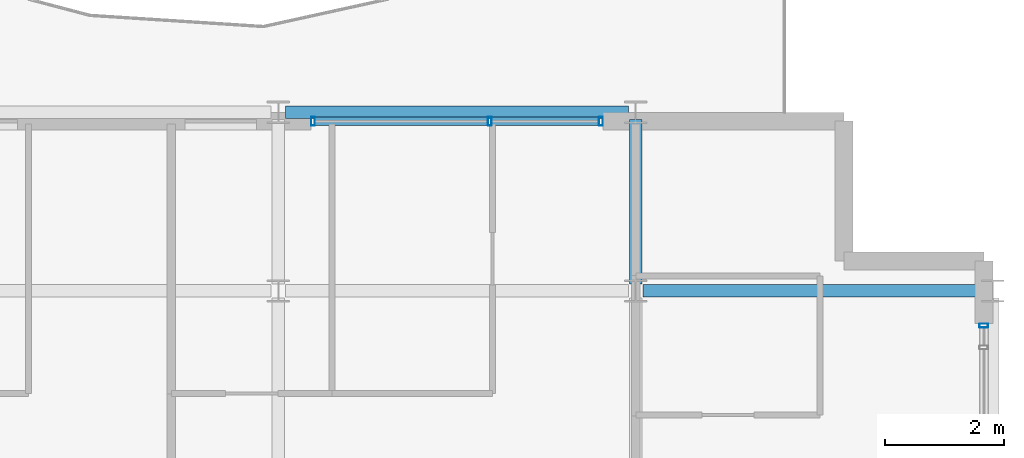
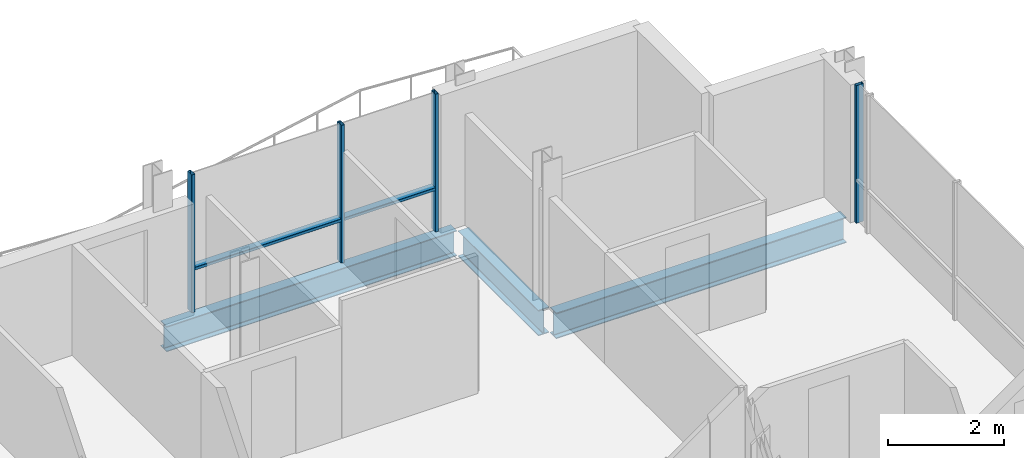
# One storey, part 15 of 29: 6 members, 3 beams, 2 elements without a shape of their own.
"""IFC4 building model written with IfcOpenShell, lengths in metres."""

import ifcopenshell
import ifcopenshell.guid

model = None  # the IFC model being written
_history = None  # IfcOwnerHistory: only IFC2X3 demands one
_inside = {}  # id of a spatial element -> (the spatial element, [elements in it])
_under = {}  # id of a project, library or spatial element -> (it, [spatial elements below it])
_declared = {}  # id of a project -> (the project, [libraries it declares])
_typed = {}  # id of a type object -> (the type object, [elements of that type])
_made_of = {}  # id of a material, layer set ... -> (it, [elements and type objects made of it])


def new_model(schema):
    """Start an empty IFC model of exactly this schema.

    Asked for "IFC4X3", IfcOpenShell would pick the latest addendum, in which some entities
    have other attributes; the version numbers below select the first issue.
    IFC2X3 requires an IfcOwnerHistory on every rooted entity: one is made here for all.
    """
    global model, _history
    if schema == "IFC4X3":
        model = ifcopenshell.file(schema_version=(4, 3, 0, 0))
    else:
        model = ifcopenshell.file(schema=schema)
    _inside.clear()
    _under.clear()
    _declared.clear()
    _typed.clear()
    _made_of.clear()
    _history = None
    if model.schema == "IFC2X3":
        org = make("IfcOrganization", Name="unknown")
        user = make(
            "IfcPersonAndOrganization",
            ThePerson=make("IfcPerson", FamilyName="unknown"),
            TheOrganization=org,
        )
        app = make(
            "IfcApplication",
            ApplicationDeveloper=org,
            Version="unknown",
            ApplicationFullName="unknown",
            ApplicationIdentifier="unknown",
        )
        _history = make(
            "IfcOwnerHistory",
            OwningUser=user,
            OwningApplication=app,
            ChangeAction="ADDED",
            CreationDate=0,
        )
    return model


def make(cls, **values):
    """One entity of the class cls with the attributes given. An attribute that is None is left unset."""
    return model.create_entity(
        cls, **{name: value for name, value in values.items() if value is not None}
    )


def rooted(cls, **values):
    """An entity with a GlobalId (a new one), such as an element, a storey or a relation."""
    return make(cls, GlobalId=ifcopenshell.guid.new(), OwnerHistory=_history, **values)


def si_unit(unit_type, name, prefix=None):
    """IfcSIUnit, for example si_unit("LENGTHUNIT", "METRE", prefix="MILLI")."""
    return make("IfcSIUnit", UnitType=unit_type, Prefix=prefix, Name=name)


def assignment(units):
    """IfcUnitAssignment: the units of a project."""
    return None if units is None else make("IfcUnitAssignment", Units=units)


def point(xyz):
    """IfcCartesianPoint."""
    return None if xyz is None else make("IfcCartesianPoint", Coordinates=xyz)


def direction(xyz):
    """IfcDirection."""
    return None if xyz is None else make("IfcDirection", DirectionRatios=xyz)


def frame(location, z_axis=None, x_axis=None):
    """IfcAxis2Placement3D, a coordinate frame: its origin and axes. An axis left out is left unset."""
    return make(
        "IfcAxis2Placement3D",
        Location=point(location),
        Axis=direction(z_axis),
        RefDirection=direction(x_axis),
    )


def frame_2d(location, x_axis=None):
    """IfcAxis2Placement2D, a coordinate frame in the plane: its origin and x axis."""
    return make(
        "IfcAxis2Placement2D", Location=point(location), RefDirection=direction(x_axis)
    )


def origin():
    """The frame at (0, 0, 0) with its axes left unset."""
    return frame((0.0, 0.0, 0.0))


def origin_2d():
    """The frame at (0, 0) in the plane with its x axis left unset."""
    return frame_2d((0.0, 0.0))


def place(relative_to, where):
    """IfcLocalPlacement: puts the frame where relative to a parent placement (None: the world)."""
    return make(
        "IfcLocalPlacement", PlacementRelTo=relative_to, RelativePlacement=where
    )


def context(
    kind, dimensions, precision=None, world=None, true_north=None, identifier=None
):
    """IfcGeometricRepresentationContext, for example the 3D "Model" context."""
    return make(
        "IfcGeometricRepresentationContext",
        ContextIdentifier=identifier,
        ContextType=kind,
        CoordinateSpaceDimension=dimensions,
        Precision=precision,
        WorldCoordinateSystem=world,
        TrueNorth=true_north,
    )


def subcontext(parent, identifier, kind, view, scale=None):
    """IfcGeometricRepresentationSubContext, for example "Body" below "Model"."""
    return make(
        "IfcGeometricRepresentationSubContext",
        ContextIdentifier=identifier,
        ContextType=kind,
        ParentContext=parent,
        TargetScale=scale,
        TargetView=view,
    )


def project(units=None, contexts=None):
    """IfcProject with its units and contexts."""
    return rooted(
        "IfcProject",
        Name="project",
        RepresentationContexts=contexts,
        UnitsInContext=assignment(units),
    )


def spatial(cls, under=None, at=None, **own):
    """A site, building, storey or space (cls), placed at a placement, below another one or the project."""
    s = rooted(cls, ObjectPlacement=at, **own)
    if under is not None:
        _under.setdefault(under.id(), (under, []))[1].append(s)
    return s


def profile(cls, at=None, kind="AREA", **sizes):
    """A parametric profile (cls). Its sizes go by their IFC names, for example OverallWidth=200.0."""
    return make(cls, ProfileType=kind, Position=at, **sizes)


def hollow_rectangle(**sizes):
    """IfcRectangleHollowProfileDef."""
    return profile("IfcRectangleHollowProfileDef", **sizes)


def i_section(**sizes):
    """IfcIShapeProfileDef."""
    return profile("IfcIShapeProfileDef", **sizes)


def extrude(swept, where, along, depth):
    """IfcExtrudedAreaSolid: the profile swept, set in the frame where, extruded along a direction by depth."""
    return make(
        "IfcExtrudedAreaSolid",
        SweptArea=swept,
        Position=where,
        ExtrudedDirection=direction(along),
        Depth=depth,
    )


def shape(context_of_items, identifier, shape_type, items):
    """IfcShapeRepresentation: the items that make up one representation, for example the "Body"."""
    return make(
        "IfcShapeRepresentation",
        ContextOfItems=context_of_items,
        RepresentationIdentifier=identifier,
        RepresentationType=shape_type,
        Items=items,
    )


def material(Name=None, Category=None):
    """IfcMaterial."""
    return make("IfcMaterial", Name=Name, Category=Category)


def layer(
    of_material, thickness, ventilated=None, Name=None, Category=None, Priority=None
):
    """IfcMaterialLayer: one layer of a wall or slab, of a material (None: an air gap)."""
    return make(
        "IfcMaterialLayer",
        Material=of_material,
        LayerThickness=thickness,
        IsVentilated=ventilated,
        Name=Name,
        Category=Category,
        Priority=Priority,
    )


def layer_set(layers, Name=None):
    """IfcMaterialLayerSet."""
    return make("IfcMaterialLayerSet", MaterialLayers=layers, LayerSetName=Name)


def material_profile(
    of_material, cross_section, Name=None, Category=None, Priority=None
):
    """IfcMaterialProfile: a cross section and its material."""
    return make(
        "IfcMaterialProfile",
        Name=Name,
        Material=of_material,
        Profile=cross_section,
        Priority=Priority,
        Category=Category,
    )


def profile_set(profiles, Name=None, composite=None):
    """IfcMaterialProfileSet."""
    return make(
        "IfcMaterialProfileSet",
        Name=Name,
        MaterialProfiles=profiles,
        CompositeProfile=composite,
    )


def made_of(thing, what):
    """Note that an element or type object is made of a material, layer set ...; save() writes the relation."""
    if what is not None:
        _made_of.setdefault(what.id(), (what, []))[1].append(thing)
    return thing


def type_object(cls, material=None, **own):
    """A type object (cls), such as IfcWallType, which elements share."""
    return made_of(rooted(cls, **own), material)


def element(
    cls,
    number,
    at=None,
    inside=None,
    cuts=None,
    type_object=None,
    material=None,
    context=None,
    identifier="Body",
    shape_type=None,
    held_by="IfcProductDefinitionShape",
    body=None,
    shapes=None,
    **own,
):
    """One element of the class cls, such as IfcWall. Its Tag is "e" and its number.

    at: its placement. inside: the storey or other place that contains it. cuts: it is an
    opening in that element (IfcRelVoidsElement). A single representation is given by context,
    identifier, shape_type and body (its items); several are given by shapes. held_by: the class
    of the entity that holds the representations. save() writes the other relations.
    """
    e = rooted(cls, Tag="e%d" % number, ObjectPlacement=at, **own)
    if body is not None:
        shapes = [shape(context, identifier, shape_type, body)]
    if shapes is not None:
        e.Representation = make(held_by, Representations=shapes)
    if inside is not None:
        _inside.setdefault(inside.id(), (inside, []))[1].append(e)
    if cuts is not None:
        rooted(
            "IfcRelVoidsElement", RelatingBuildingElement=cuts, RelatedOpeningElement=e
        )
    if type_object is not None:
        _typed.setdefault(type_object.id(), (type_object, []))[1].append(e)
    return made_of(e, material)


def aggregate(whole, parts):
    """IfcRelAggregates: a whole, such as a stair, and the parts it consists of."""
    return rooted("IfcRelAggregates", RelatingObject=whole, RelatedObjects=parts)


def save(model, path):
    """Write the relations noted so far, then the file.

    IfcRelAggregates (storeys below a building ...), IfcRelContainedInSpatialStructure (elements
    in a storey), IfcRelDefinesByType, IfcRelAssociatesMaterial and IfcRelDeclares: one each for
    every whole, place, type object, material and project.
    """
    for whole, parts in _under.values():
        aggregate(whole, parts)
    for where, things in _inside.values():
        rooted(
            "IfcRelContainedInSpatialStructure",
            RelatedElements=things,
            RelatingStructure=where,
        )
    for kind, things in _typed.values():
        rooted("IfcRelDefinesByType", RelatedObjects=things, RelatingType=kind)
    for what, things in _made_of.values():
        rooted("IfcRelAssociatesMaterial", RelatedObjects=things, RelatingMaterial=what)
    for by, libraries in _declared.values():
        rooted("IfcRelDeclares", RelatingContext=by, RelatedDefinitions=libraries)
    model.write(path)


model = new_model("IFC4")

# Units and contexts
model_context = context("Model", 3, precision=1e-05, world=origin(), true_north=direction((0.0, 1.0)))
body_context = subcontext(model_context, "Body", "Model", "MODEL_VIEW")
ifc_project = project(units=[si_unit("LENGTHUNIT", "METRE"), si_unit("AREAUNIT", "SQUARE_METRE"), si_unit("VOLUMEUNIT", "CUBIC_METRE"), si_unit("PLANEANGLEUNIT", "RADIAN"), si_unit("MASSUNIT", "GRAM", prefix="KILO")], contexts=[model_context])

# Site, building, storey
site_placement = place(None, origin())
site = spatial("IfcSite", under=ifc_project, at=site_placement, CompositionType="ELEMENT")
building_placement = place(site_placement, origin())
building = spatial("IfcBuilding", under=site, at=building_placement, Name="Brevholm Reach", CompositionType="ELEMENT")
storey_placement = place(building_placement, frame((0.0, 0.0, 201.800048828125)))
storey = spatial("IfcBuildingStorey", under=building, at=storey_placement, Name="L61", CompositionType="ELEMENT", Elevation=201.800048828125)

# Beams
ifc_material_1 = material(Name="Structural Steel S355J2", Category="steel")
ifc_material_profile_1 = material_profile(ifc_material_1, i_section(OverallWidth=0.209228515625, OverallDepth=0.533203125, WebThickness=0.010009765625, FlangeThickness=0.015625, FilletRadius=0.0126953125, at=origin_2d()), Name="UKB 533x210x92")
ifc_profile_set_1 = profile_set([ifc_material_profile_1], Name="Structural Steel S355J2")
beam_type_1 = type_object("IfcBeamType", Name="BM-SP533", PredefinedType="SPANDREL", material=ifc_profile_set_1)
beam_1_placement = place(storey_placement, frame((48.1201171875, 26.5, -0.4765625), z_axis=(1.0, 0.0, 0.0), x_axis=(0.0, 1.0, 0.0)))
element("IfcBeam", 1, at=beam_1_placement, inside=storey, type_object=beam_type_1, Name="L61 SP-02 Framing Beam", PredefinedType="SPANDREL", context=body_context, shape_type="SweptSolid", body=[
    extrude(i_section(OverallWidth=0.209228515625, OverallDepth=0.533203125, WebThickness=0.010009765625, FlangeThickness=0.015625, FilletRadius=0.0126953125, at=origin_2d()), origin(), (0.0, 0.0, 1.0), 5.759765625),
])
ifc_material_2 = material(Name="Structural Steel S355J2", Category="steel")
ifc_material_profile_2 = material_profile(ifc_material_2, i_section(OverallWidth=0.210693359375, OverallDepth=0.53955078125, WebThickness=0.01171875, FlangeThickness=0.018798828125, FilletRadius=0.0126953125, at=origin_2d()), Name="UKB 533x210x109")
ifc_profile_set_2 = profile_set([ifc_material_profile_2], Name="Structural Steel S355J2")
beam_type_2 = type_object("IfcBeamType", Name="BM-SP539", PredefinedType="SPANDREL", material=ifc_profile_set_2)
beam_2_placement = place(storey_placement, frame((54.1201171875, 23.5, -0.479736328125), z_axis=(1.0, 0.0, 0.0), x_axis=(0.0, 1.0, 0.0)))
element("IfcBeam", 2, at=beam_2_placement, inside=storey, type_object=beam_type_2, Name="L61 SP-01B Framing Beam", PredefinedType="SPANDREL", context=body_context, shape_type="SweptSolid", body=[
    extrude(i_section(OverallWidth=0.210693359375, OverallDepth=0.53955078125, WebThickness=0.01171875, FlangeThickness=0.018798828125, FilletRadius=0.0126953125, at=origin_2d()), origin(), (0.0, 0.0, 1.0), 5.759765625),
])
beam_3_placement = place(storey_placement, frame((54.0, 23.6201171875, -0.479736328125), z_axis=(0.0, 1.0, 0.0), x_axis=(-1.0, 0.0, 0.0)))
element("IfcBeam", 3, at=beam_3_placement, inside=storey, type_object=beam_type_2, Name="L61 SP-01B Framing Beam", PredefinedType="SPANDREL", context=body_context, shape_type="SweptSolid", body=[
    extrude(i_section(OverallWidth=0.210693359375, OverallDepth=0.53955078125, WebThickness=0.01171875, FlangeThickness=0.018798828125, FilletRadius=0.0126953125, at=origin_2d()), origin(), (0.0, 0.0, 1.0), 2.759765625),
])

# Curtain wall, member
ifc_material_3 = material(Name="Dark Anodised Aluminium 6063-T6 and Solar-Control Glass", Category="aluminium")
ifc_layer = layer(ifc_material_3, 0.14990234375)
ifc_layer_set = layer_set([ifc_layer], Name="Dark Anodised Aluminium 6063-T6 and Solar-Control Glass")
curtain_wall_type = type_object("IfcCurtainWallType", Name="CW-01", PredefinedType="NOTDEFINED", material=ifc_layer_set)
curtain_wall_1_placement = place(storey_placement, origin())
curtain_wall_1 = element("IfcCurtainWall", 4, at=curtain_wall_1_placement, inside=storey, type_object=curtain_wall_type, Name="L61 Curtain Wall CW-01", PredefinedType="NOTDEFINED")
ifc_material_4 = material(Name="Dark Anodised Aluminium 6063-T6", Category="aluminium")
ifc_material_profile_3 = material_profile(ifc_material_4, hollow_rectangle(XDim=0.06494140625, YDim=0.14990234375, WallThickness=0.0048828125, InnerFilletRadius=0.0048828125, OuterFilletRadius=0.010009765625, at=origin_2d()), Name="RHS 150x65x5")
ifc_profile_set_3 = profile_set([ifc_material_profile_3], Name="Dark Anodised Aluminium 6063-T6")
member_type_1 = type_object("IfcMemberType", Name="CWM-150", PredefinedType="MULLION", material=ifc_profile_set_3)
member_1_placement = place(storey_placement, frame((59.85009765625, 22.91748046875, 0.0), z_axis=(0.0, 0.0, 1.0), x_axis=(0.0, 1.0, 0.0)))
member_1 = element("IfcMember", 5, at=member_1_placement, type_object=member_type_1, Name="CM-150 Mullion 6", PredefinedType="MULLION", context=body_context, shape_type="SweptSolid", body=[
    extrude(hollow_rectangle(XDim=0.06494140625, YDim=0.14990234375, WallThickness=0.0048828125, InnerFilletRadius=0.0048828125, OuterFilletRadius=0.010009765625, at=origin_2d()), origin(), (0.0, 0.0, 1.0), 2.889892578125),
])
aggregate(curtain_wall_1, [member_1])

# Curtain wall, members
curtain_wall_2_placement = place(storey_placement, origin())
curtain_wall_2 = element("IfcCurtainWall", 6, at=curtain_wall_2_placement, inside=storey, type_object=curtain_wall_type, Name="L61 Curtain Wall CW-01", PredefinedType="NOTDEFINED")
member_2_placement = place(storey_placement, frame((48.58251953125, 26.35009765625, 0.0), z_axis=(0.0, 0.0, 1.0), x_axis=(1.0, 0.0, 0.0)))
member_2 = element("IfcMember", 7, at=member_2_placement, type_object=member_type_1, Name="CM-150 Mullion 1", PredefinedType="MULLION", context=body_context, shape_type="SweptSolid", body=[
    extrude(hollow_rectangle(XDim=0.06494140625, YDim=0.14990234375, WallThickness=0.0048828125, InnerFilletRadius=0.0048828125, OuterFilletRadius=0.010009765625, at=origin_2d()), origin(), (0.0, 0.0, 1.0), 2.889892578125),
])
member_3_placement = place(storey_placement, frame((51.550048828125, 26.35009765625, 0.0), z_axis=(0.0, 0.0, 1.0), x_axis=(1.0, 0.0, 0.0)))
member_3 = element("IfcMember", 8, at=member_3_placement, type_object=member_type_1, Name="CM-150 Mullion 2", PredefinedType="MULLION", context=body_context, shape_type="SweptSolid", body=[
    extrude(hollow_rectangle(XDim=0.06494140625, YDim=0.14990234375, WallThickness=0.0048828125, InnerFilletRadius=0.0048828125, OuterFilletRadius=0.010009765625, at=origin_2d()), origin(), (0.0, 0.0, 1.0), 2.889892578125),
])
member_4_placement = place(storey_placement, frame((53.41748046875, 26.35009765625, 0.0), z_axis=(0.0, 0.0, 1.0), x_axis=(1.0, 0.0, 0.0)))
member_4 = element("IfcMember", 9, at=member_4_placement, type_object=member_type_1, Name="CM-150 Mullion 3", PredefinedType="MULLION", context=body_context, shape_type="SweptSolid", body=[
    extrude(hollow_rectangle(XDim=0.06494140625, YDim=0.14990234375, WallThickness=0.0048828125, InnerFilletRadius=0.0048828125, OuterFilletRadius=0.010009765625, at=origin_2d()), origin(), (0.0, 0.0, 1.0), 2.889892578125),
])
ifc_material_5 = material(Name="Dark Anodised Aluminium 6063-T6", Category="aluminium")
ifc_material_profile_4 = material_profile(ifc_material_5, hollow_rectangle(XDim=0.06494140625, YDim=0.14990234375, WallThickness=0.0048828125, InnerFilletRadius=0.0048828125, OuterFilletRadius=0.010009765625, at=origin_2d()), Name="RHS 150x65x5")
ifc_profile_set_4 = profile_set([ifc_material_profile_4], Name="Dark Anodised Aluminium 6063-T6")
member_type_2 = type_object("IfcMemberType", Name="CWT-150", PredefinedType="NOTDEFINED", material=ifc_profile_set_4)
member_5_placement = place(storey_placement, frame((48.614990234375, 26.35009765625, 0.89990234375), z_axis=(1.0, 0.0, 0.0), x_axis=(0.0, 0.0, 1.0)))
member_5 = element("IfcMember", 10, at=member_5_placement, type_object=member_type_2, Name="CT-150 Transom 1.1", ObjectType="TRANSOM", PredefinedType="USERDEFINED", context=body_context, shape_type="SweptSolid", body=[
    extrude(hollow_rectangle(XDim=0.06494140625, YDim=0.14990234375, WallThickness=0.0048828125, InnerFilletRadius=0.0048828125, OuterFilletRadius=0.010009765625, at=origin_2d()), origin(), (0.0, 0.0, 1.0), 2.902587890625),
])
member_6_placement = place(storey_placement, frame((51.58251953125, 26.35009765625, 0.89990234375), z_axis=(1.0, 0.0, 0.0), x_axis=(0.0, 0.0, 1.0)))
member_6 = element("IfcMember", 11, at=member_6_placement, type_object=member_type_2, Name="CT-150 Transom 2.1", ObjectType="TRANSOM", PredefinedType="USERDEFINED", context=body_context, shape_type="SweptSolid", body=[
    extrude(hollow_rectangle(XDim=0.06494140625, YDim=0.14990234375, WallThickness=0.0048828125, InnerFilletRadius=0.0048828125, OuterFilletRadius=0.010009765625, at=origin_2d()), origin(), (0.0, 0.0, 1.0), 1.802490234375),
])
aggregate(curtain_wall_2, [member_2, member_3, member_4, member_5, member_6])

save(model, "model.ifc")
